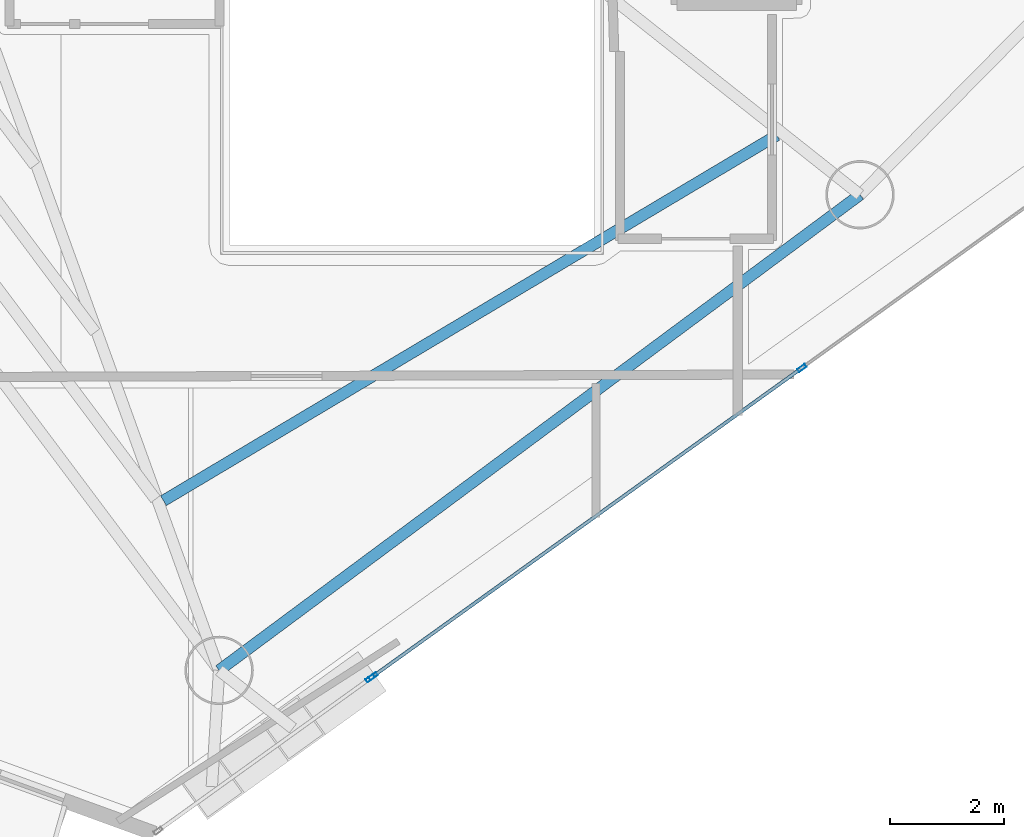
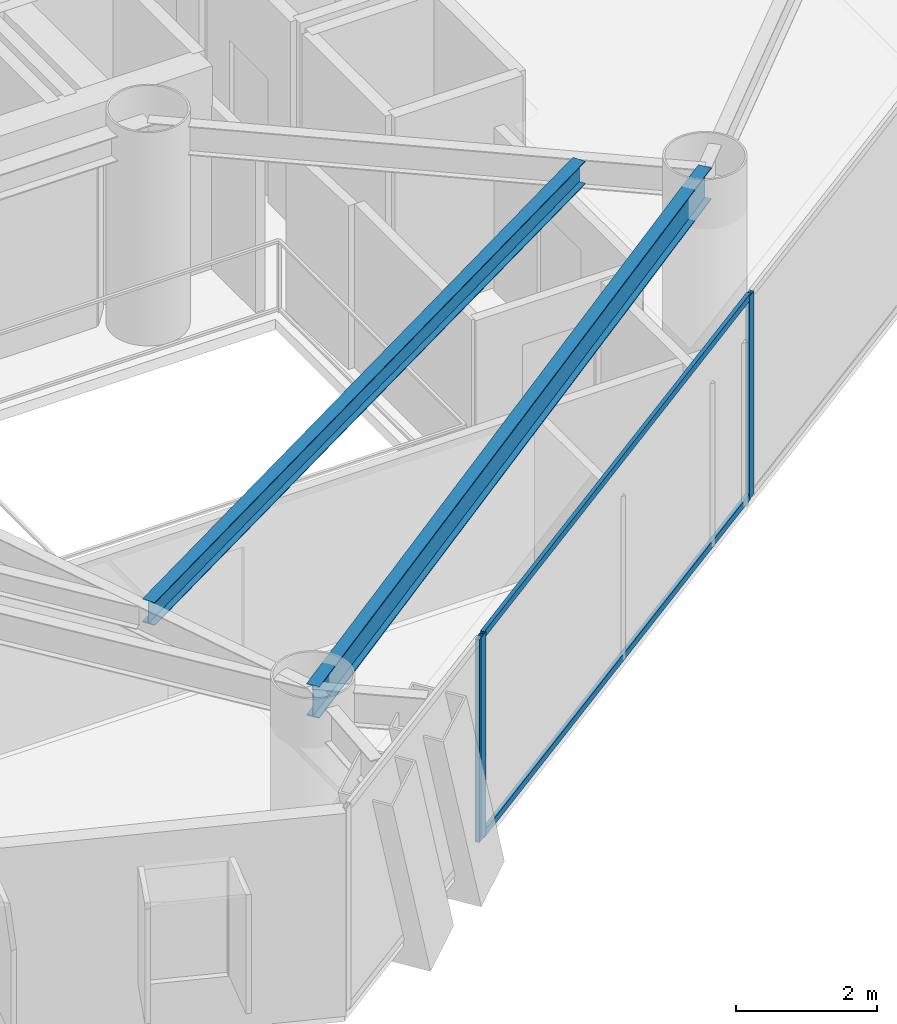
# One storey, part 6 of 22: 5 members, 2 beams, 2 elements without a shape of their own.
"""IFC4 building model written with IfcOpenShell, lengths in metres."""

from ifc_helpers import new_model, si_unit, direction, frame, origin, origin_2d, place, context, subcontext, project, spatial, hollow_rectangle, i_section, extrude, material, layer, layer_set, material_profile, profile_set, type_object, element, aggregate, save


model = new_model("IFC4")

# Units and contexts
model_context = context("Model", 3, precision=1e-05, world=origin(), true_north=direction((0.0, 1.0)))
body_context = subcontext(model_context, "Body", "Model", "MODEL_VIEW")
ifc_project = project(units=[si_unit("LENGTHUNIT", "METRE"), si_unit("AREAUNIT", "SQUARE_METRE"), si_unit("VOLUMEUNIT", "CUBIC_METRE"), si_unit("PLANEANGLEUNIT", "RADIAN"), si_unit("MASSUNIT", "GRAM", prefix="KILO")], contexts=[model_context])

# Site, building, storey
site_placement = place(None, origin())
site = spatial("IfcSite", under=ifc_project, at=site_placement, CompositionType="ELEMENT")
building_placement = place(site_placement, origin())
building = spatial("IfcBuilding", under=site, at=building_placement, Name="Qianvela Tower", CompositionType="ELEMENT")
storey_placement = place(building_placement, frame((0.0, 0.0, 200.300048828125)))
storey = spatial("IfcBuildingStorey", under=building, at=storey_placement, Name="L51", CompositionType="ELEMENT", Elevation=200.300048828125)

# Beams
ifc_material_1 = material(Name="Steel Q355B", Category="steel")
ifc_material_profile_1 = material_profile(ifc_material_1, i_section(OverallWidth=0.199951171875, OverallDepth=0.39990234375, WebThickness=0.008056640625, FlangeThickness=0.012939453125, at=origin_2d()), Name="HN400x200x8x13")
ifc_profile_set_1 = profile_set([ifc_material_profile_1], Name="Steel Q355B")
beam_type_1 = type_object("IfcBeamType", Name="BM-HN400-JOIST", PredefinedType="JOIST", material=ifc_profile_set_1)
beam_1_placement = place(storey_placement, frame((32.4365234375, 13.51025390625, 3.31787109375), z_axis=(0.859083505932, 0.511835451914, 0.0), x_axis=(-0.511835451914, 0.859083505932, 0.0)))
element("IfcBeam", 1, at=beam_1_placement, inside=storey, type_object=beam_type_1, Name="L51 Secondary Composite Floor Joist 5.3", PredefinedType="JOIST", context=body_context, shape_type="SweptSolid", body=[
    extrude(i_section(OverallWidth=0.199951171875, OverallDepth=0.39990234375, WebThickness=0.008056640625, FlangeThickness=0.012939453125, at=origin_2d()), origin(), (0.0, 0.0, 1.0), 12.535888671875),
])
ifc_material_2 = material(Name="Steel Q355B", Category="steel")
ifc_material_profile_2 = material_profile(ifc_material_2, i_section(OverallWidth=0.199951171875, OverallDepth=0.550048828125, WebThickness=0.010009765625, FlangeThickness=0.01611328125, at=origin_2d()), Name="HN550x200x10x16")
ifc_profile_set_2 = profile_set([ifc_material_profile_2], Name="Steel Q355B")
beam_type_2 = type_object("IfcBeamType", Name="BM-HN550-GIRD", PredefinedType="BEAM", material=ifc_profile_set_2)
beam_2_placement = place(storey_placement, frame((33.4130859375, 10.531005859375, 3.242919921875), z_axis=(0.803016810701, 0.595956375696, 0.0), x_axis=(-0.595956375696, 0.803016810701, 0.0)))
element("IfcBeam", 2, at=beam_2_placement, inside=storey, type_object=beam_type_2, Name="L51 Perimeter Ring Spandrel Girder 5", PredefinedType="BEAM", context=body_context, shape_type="SweptSolid", body=[
    extrude(i_section(OverallWidth=0.199951171875, OverallDepth=0.550048828125, WebThickness=0.010009765625, FlangeThickness=0.01611328125, at=origin_2d()), origin(), (0.0, 0.0, 1.0), 14.0146484375),
])

# Curtain wall, member
ifc_material_3 = material(Name="Anodised Architectural Aluminium and Insulated Spandrel Panel", Category="aluminium")
ifc_layer_1 = layer(ifc_material_3, 0.179931640625)
ifc_layer_set_1 = layer_set([ifc_layer_1], Name="Anodised Architectural Aluminium and Insulated Spandrel Panel")
curtain_wall_type_1 = type_object("IfcCurtainWallType", Name="CW-BRACEBAY", PredefinedType="USERDEFINED", material=ifc_layer_set_1)
curtain_wall_1_placement = place(storey_placement, origin())
curtain_wall_1 = element("IfcCurtainWall", 3, at=curtain_wall_1_placement, inside=storey, type_object=curtain_wall_type_1, Name="L51 CW-BRACEBAY Curtain Wall 06A", ObjectType="CURTAIN_WALL_SYSTEM", PredefinedType="USERDEFINED")
ifc_material_4 = material(Name="Anodised Architectural Aluminium 6063-T6", Category="aluminium")
ifc_material_profile_3 = material_profile(ifc_material_4, hollow_rectangle(XDim=0.06494140625, YDim=0.159912109375, WallThickness=0.0048828125, at=origin_2d()), Name="ALU-MULL-65x160")
ifc_profile_set_3 = profile_set([ifc_material_profile_3], Name="Anodised Architectural Aluminium 6063-T6")
member_type_1 = type_object("IfcMemberType", Name="CW-BRACEBAY-MULL", PredefinedType="MULLION", material=ifc_profile_set_3)
member_1_placement = place(storey_placement, frame((36.06640625, 10.3916015625, 0.0), z_axis=(0.0, 0.0, 1.0), x_axis=(-0.583719352294, 0.81195549001, 0.0)))
member_1 = element("IfcMember", 4, at=member_1_placement, type_object=member_type_1, Name="CW-9 mullion 2", PredefinedType="MULLION", context=body_context, shape_type="SweptSolid", body=[
    extrude(hollow_rectangle(XDim=0.06494140625, YDim=0.159912109375, WallThickness=0.0048828125, at=origin_2d()), origin(), (0.0, 0.0, 1.0), 3.52001953125),
])
aggregate(curtain_wall_1, [member_1])

# Curtain wall, members
ifc_material_5 = material(Name="Anodised Architectural Aluminium and Low-E Glass", Category="aluminium")
ifc_layer_2 = layer(ifc_material_5, 0.159912109375)
ifc_layer_set_2 = layer_set([ifc_layer_2], Name="Anodised Architectural Aluminium and Low-E Glass")
curtain_wall_type_2 = type_object("IfcCurtainWallType", Name="CW-COLIV-Z56", PredefinedType="USERDEFINED", material=ifc_layer_set_2)
curtain_wall_2_placement = place(storey_placement, origin())
curtain_wall_2 = element("IfcCurtainWall", 5, at=curtain_wall_2_placement, inside=storey, type_object=curtain_wall_type_2, Name="L51 CW-COLIV-Z56 Curtain Wall 06B", ObjectType="CURTAIN_WALL_SYSTEM", PredefinedType="USERDEFINED")
ifc_material_6 = material(Name="Anodised Architectural Aluminium 6063-T6", Category="aluminium")
ifc_material_profile_4 = material_profile(ifc_material_6, hollow_rectangle(XDim=0.06494140625, YDim=0.159912109375, WallThickness=0.0048828125, at=origin_2d()), Name="ALU-MULL-65x160")
ifc_profile_set_4 = profile_set([ifc_material_profile_4], Name="Anodised Architectural Aluminium 6063-T6")
member_type_2 = type_object("IfcMemberType", Name="CW-COLIV-Z56-MULL", PredefinedType="MULLION", material=ifc_profile_set_4)
member_2_placement = place(storey_placement, frame((36.119140625, 10.429443359375, 0.0), z_axis=(0.0, 0.0, 1.0), x_axis=(-0.583724053357, 0.811952110369, 0.0)))
member_2 = element("IfcMember", 6, at=member_2_placement, type_object=member_type_2, Name="CW-5 mullion 1", PredefinedType="MULLION", context=body_context, shape_type="SweptSolid", body=[
    extrude(hollow_rectangle(XDim=0.06494140625, YDim=0.159912109375, WallThickness=0.0048828125, at=origin_2d()), origin(), (0.0, 0.0, 1.0), 3.52001953125),
])
member_3_placement = place(storey_placement, frame((43.646240234375, 15.8408203125, 0.0), z_axis=(0.0, 0.0, 1.0), x_axis=(-0.583724053357, 0.811952110369, 0.0)))
member_3 = element("IfcMember", 7, at=member_3_placement, type_object=member_type_2, Name="CW-5 mullion 2", PredefinedType="MULLION", context=body_context, shape_type="SweptSolid", body=[
    extrude(hollow_rectangle(XDim=0.06494140625, YDim=0.159912109375, WallThickness=0.0048828125, at=origin_2d()), origin(), (0.0, 0.0, 1.0), 3.52001953125),
])
ifc_material_7 = material(Name="Anodised Architectural Aluminium 6063-T6", Category="aluminium")
ifc_material_profile_5 = material_profile(ifc_material_7, hollow_rectangle(XDim=0.06005859375, YDim=0.114990234375, WallThickness=0.00390625, at=origin_2d()), Name="ALU-TRAN-60x115")
ifc_profile_set_5 = profile_set([ifc_material_profile_5], Name="Anodised Architectural Aluminium 6063-T6")
member_type_3 = type_object("IfcMemberType", Name="CW-COLIV-Z56-TRAN", PredefinedType="USERDEFINED", material=ifc_profile_set_5)
member_4_placement = place(storey_placement, frame((36.1455078125, 10.448486328125, 0.030029296875), z_axis=(0.811950162347, 0.58372676302, 0.0), x_axis=(-0.58372676302, 0.811950162347, 0.0)))
member_4 = element("IfcMember", 8, at=member_4_placement, type_object=member_type_3, Name="CW-5 transom 1.1", ObjectType="TRANSOM", PredefinedType="USERDEFINED", context=body_context, shape_type="SweptSolid", body=[
    extrude(hollow_rectangle(XDim=0.06005859375, YDim=0.114990234375, WallThickness=0.00390625, at=origin_2d()), origin(), (0.0, 0.0, 1.0), 9.205078125),
])
member_5_placement = place(storey_placement, frame((36.1455078125, 10.448486328125, 3.489990234375), z_axis=(0.811950162347, 0.58372676302, 0.0), x_axis=(-0.58372676302, 0.811950162347, 0.0)))
member_5 = element("IfcMember", 9, at=member_5_placement, type_object=member_type_3, Name="CW-5 transom 1.2", ObjectType="TRANSOM", PredefinedType="USERDEFINED", context=body_context, shape_type="SweptSolid", body=[
    extrude(hollow_rectangle(XDim=0.06005859375, YDim=0.114990234375, WallThickness=0.00390625, at=origin_2d()), origin(), (0.0, 0.0, 1.0), 9.205078125),
])
aggregate(curtain_wall_2, [member_2, member_3, member_4, member_5])

save(model, "model.ifc")
